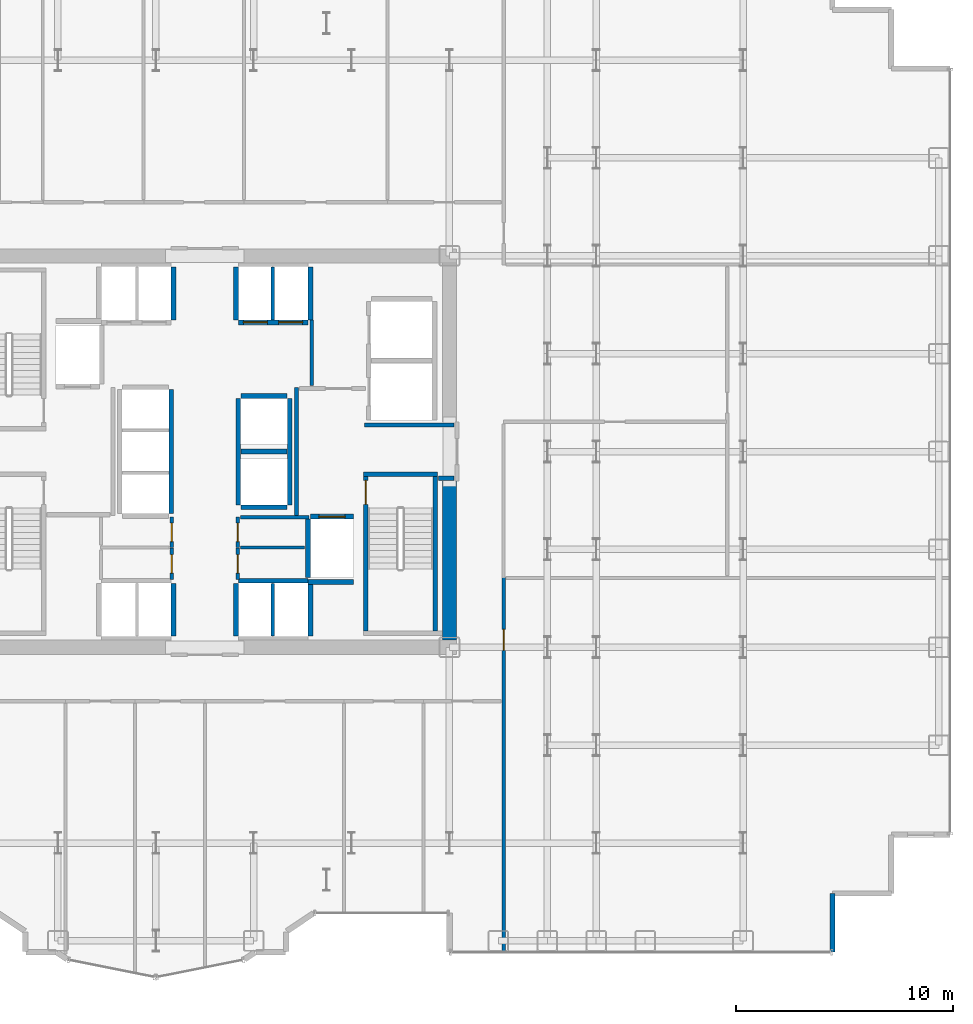
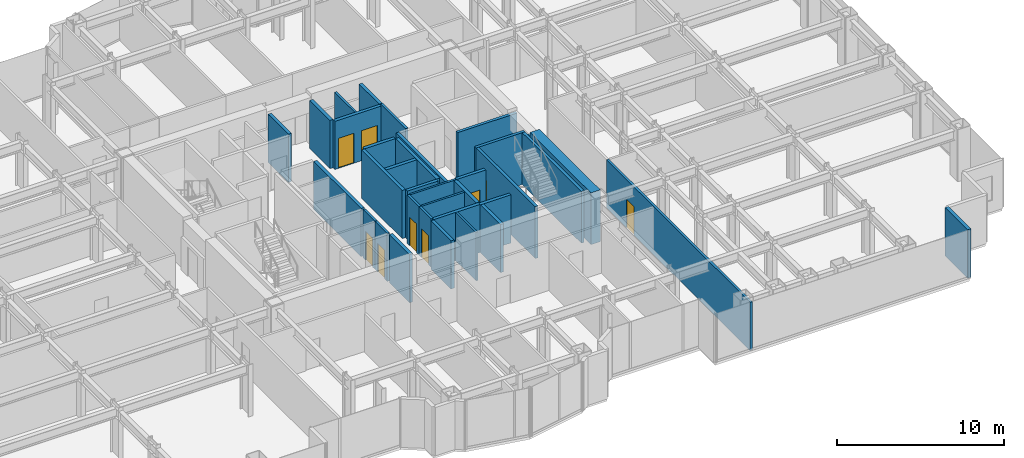
# One storey, part 22 of 25: 35 walls, 9 doors, 9 openings.
"""IFC4 building model written with IfcOpenShell, lengths in metres."""

from ifc_helpers import new_model, si_unit, direction, frame, frame_2d, origin, place, context, subcontext, project, spatial, rectangle, extrude, source, transform, mapped, material, layer, layer_set, type_object, element, fill, save


model = new_model("IFC4")

# Units and contexts
model_context = context("Model", 3, precision=1e-05, world=origin(), true_north=direction((0.0, 1.0)))
body_context = subcontext(model_context, "Body", "Model", "MODEL_VIEW")
ifc_project = project(units=[si_unit("LENGTHUNIT", "METRE"), si_unit("AREAUNIT", "SQUARE_METRE"), si_unit("VOLUMEUNIT", "CUBIC_METRE"), si_unit("PLANEANGLEUNIT", "RADIAN"), si_unit("MASSUNIT", "GRAM", prefix="KILO")], contexts=[model_context])

# Site, building, storey
site_placement = place(None, origin())
site = spatial("IfcSite", under=ifc_project, at=site_placement, CompositionType="ELEMENT")
building_placement = place(site_placement, origin())
building = spatial("IfcBuilding", under=site, at=building_placement, Name="Nefas-Gora Pilgrimage Tower", CompositionType="ELEMENT")
storey_placement = place(building_placement, frame((0.0, 0.0, 74.800048828125)))
storey = spatial("IfcBuildingStorey", under=building, at=storey_placement, Name="L17", CompositionType="ELEMENT", Elevation=74.800048828125)

# Walls
ifc_material_1 = material(Name="Concrete C60/75", Category="concrete")
ifc_layer_1 = layer(ifc_material_1, 0.64990234375)
ifc_layer_set_1 = layer_set([ifc_layer_1], Name="Concrete C60/75")
wall_type_1 = type_object("IfcWallType", Name="SW-CORE-650", PredefinedType="SHEAR", material=ifc_layer_set_1)
shared_shape_1 = source(origin(), body_context, "Body", "SweptSolid", [
    extrude(rectangle(XDim=7.324951171875, YDim=0.64990234375, at=frame_2d((3.66259765625, 0.0))), origin(), (0.0, 0.0, 1.0), 3.800048828125),
])
wall_1_placement = place(storey_placement, frame((11.25, -8.675048828125, 0.0), z_axis=(0.0, 0.0, 1.0), x_axis=(0.0, 1.0, 0.0)))
element("IfcWall", 1, at=wall_1_placement, inside=storey, type_object=wall_type_1, Name="L17 Core Shear Wall E-South", PredefinedType="SHEAR", context=body_context, shape_type="MappedRepresentation", body=[
    mapped(shared_shape_1, transform((0.0, 0.0, 0.0), x_axis=(1.0, 0.0, 0.0), y_axis=(0.0, 1.0, 0.0), z_axis=(0.0, 0.0, 1.0), scale=1.0)),
])
ifc_material_2 = material(Name="Precast concrete C45/55", Category="concrete")
ifc_layer_2 = layer(ifc_material_2, 0.239990234375)
ifc_layer_set_2 = layer_set([ifc_layer_2], Name="Precast concrete C45/55")
wall_type_2 = type_object("IfcWallType", Name="EW-SERR-240", PredefinedType="SHEAR", material=ifc_layer_set_2)
shared_shape_2 = source(origin(), body_context, "Body", "SweptSolid", [
    extrude(rectangle(XDim=2.699951171875, YDim=0.239990234375, at=frame_2d((1.35009765625, 0.0))), origin(), (0.0, 0.0, 1.0), 3.550048828125),
])
wall_2_placement = place(storey_placement, frame((28.8701171875, -23.02001953125, 0.0), z_axis=(0.0, 0.0, 1.0), x_axis=(0.0, 1.0, 0.0)))
element("IfcWall", 2, at=wall_2_placement, inside=storey, type_object=wall_type_2, Name="L17 Serrated Corner Shear Pier Wall 2", PredefinedType="SHEAR", context=body_context, shape_type="MappedRepresentation", body=[
    mapped(shared_shape_2, transform((0.0, 0.0, 0.0), x_axis=(1.0, 0.0, 0.0), y_axis=(0.0, 1.0, 0.0), z_axis=(0.0, 0.0, 1.0), scale=1.0)),
])
ifc_material_3 = material(Name="Concrete C45/55", Category="concrete")
ifc_layer_3 = layer(ifc_material_3, 0.199951171875)
ifc_layer_set_3 = layer_set([ifc_layer_3], Name="Concrete C45/55")
wall_type_3 = type_object("IfcWallType", Name="IW-STAIR-200", PredefinedType="SOLIDWALL", material=ifc_layer_set_3)
shared_shape_3 = source(origin(), body_context, "Body", "SweptSolid", [
    extrude(rectangle(XDim=3.39990234375, YDim=0.199951171875, at=frame_2d((1.699951171875, 0.0))), origin(), (0.0, 0.0, 1.0), 3.800048828125),
])
wall_3_placement = place(storey_placement, frame((7.300048828125, -1.050048828125, 0.0), z_axis=(0.0, 0.0, 1.0), x_axis=(1.0, 0.0, 0.0)))
element("IfcWall", 3, at=wall_3_placement, inside=storey, type_object=wall_type_3, Name="L17 Stairwell Shear Wall ST-02-near", PredefinedType="SOLIDWALL", context=body_context, shape_type="MappedRepresentation", body=[
    mapped(shared_shape_3, transform((0.0, 0.0, 0.0), x_axis=(1.0, 0.0, 0.0), y_axis=(0.0, 1.0, 0.0), z_axis=(0.0, 0.0, 1.0), scale=1.0)),
])

# Wall, opening, door
shared_shape_4 = source(origin(), body_context, "Body", "SweptSolid", [
    extrude(rectangle(XDim=7.10009765625, YDim=0.199951171875, at=frame_2d((3.550048828125, 0.0))), origin(), (0.0, 0.0, 1.0), 3.800048828125),
])
wall_4_placement = place(storey_placement, frame((7.39990234375, -1.14990234375, 0.0), z_axis=(0.0, 0.0, 1.0), x_axis=(0.0, -1.0, 0.0)))
wall_4 = element("IfcWall", 4, at=wall_4_placement, inside=storey, type_object=wall_type_3, Name="L17 Stairwell Shear Wall ST-02-left", PredefinedType="SOLIDWALL", context=body_context, shape_type="MappedRepresentation", body=[
    mapped(shared_shape_4, transform((0.0, 0.0, 0.0), x_axis=(1.0, 0.0, 0.0), y_axis=(0.0, 1.0, 0.0), z_axis=(0.0, 0.0, 1.0), scale=1.0)),
])
opening_1_placement = place(wall_4_placement, frame((0.179931640625, 0.0, 0.0)))
opening_1 = element("IfcOpeningElement", 5, at=opening_1_placement, cuts=wall_4, Name="Opening ID-ST1", PredefinedType="OPENING", context=body_context, shape_type="SweptSolid", body=[
    extrude(rectangle(XDim=1.10009765625, YDim=2.14990234375, at=frame_2d((0.550048828125, 1.074951171875))), frame((0.0, 0.10986328125, 0.0), z_axis=(0.0, -1.0, 0.0), x_axis=(1.0, 0.0, 0.0)), (0.0, 0.0, 1.0), 0.219970703125),
])
ifc_material_4 = material(Name="Painted galvanised steel fire stair door", Category="steel")
door_type_1 = type_object("IfcDoorType", Name="DR-INT-STAIR-1100", OperationType="NOTDEFINED", PredefinedType="DOOR", material=ifc_material_4)
shared_shape_5 = source(origin(), body_context, "Body", "SweptSolid", [
    extrude(rectangle(XDim=1.10009765625, YDim=2.14990234375, at=frame_2d((0.550048828125, 1.074951171875))), frame((0.0, 0.02490234375, 0.0), z_axis=(0.0, -1.0, 0.0), x_axis=(1.0, 0.0, 0.0)), (0.0, 0.0, 1.0), 0.050048828125),
])
door_1_placement = place(opening_1_placement, origin())
door_1 = element("IfcDoor", 6, at=door_1_placement, inside=storey, type_object=door_type_1, Name="L17 Protected Exit Stair Door ST-02", OperationType="SINGLE_SWING_RIGHT", OverallHeight=2.14990234375, OverallWidth=1.10009765625, PredefinedType="DOOR", context=body_context, shape_type="MappedRepresentation", body=[
    mapped(shared_shape_5, transform((0.0, 0.0, 0.0), x_axis=(1.0, 0.0, 0.0), y_axis=(0.0, 1.0, 0.0), z_axis=(0.0, 0.0, 1.0), scale=1.0)),
])
fill(opening_1, door_1)

# Wall
wall_5_placement = place(storey_placement, frame((10.60009765625, -1.14990234375, 0.0), z_axis=(0.0, 0.0, 1.0), x_axis=(0.0, -1.0, 0.0)))
element("IfcWall", 7, at=wall_5_placement, inside=storey, type_object=wall_type_3, Name="L17 Stairwell Shear Wall ST-02-right", PredefinedType="SOLIDWALL", context=body_context, shape_type="MappedRepresentation", body=[
    mapped(shared_shape_4, transform((0.0, 0.0, 0.0), x_axis=(1.0, 0.0, 0.0), y_axis=(0.0, 1.0, 0.0), z_axis=(0.0, 0.0, 1.0), scale=1.0)),
])

# Wall, opening, door
ifc_material_5 = material(Name="Concrete C40/50", Category="concrete")
ifc_layer_4 = layer(ifc_material_5, 0.219970703125)
ifc_layer_set_4 = layer_set([ifc_layer_4], Name="Concrete C40/50")
wall_type_4 = type_object("IfcWallType", Name="IW-SHAFT-220", PredefinedType="SOLIDWALL", material=ifc_layer_set_4)
shared_shape_6 = source(origin(), body_context, "Body", "SweptSolid", [
    extrude(rectangle(XDim=2.0, YDim=0.219970703125, at=frame_2d((1.0, 0.0))), origin(), (0.0, 0.0, 1.0), 3.534912109375),
])
wall_6_placement = place(storey_placement, frame((6.85009765625, -2.989990234375, 0.0), z_axis=(0.0, 0.0, 1.0), x_axis=(-1.0, 0.0, 0.0)))
wall_6 = element("IfcWall", 8, at=wall_6_placement, inside=storey, type_object=wall_type_4, Name="L17 Hoistway Wall FFL-02-N", PredefinedType="SOLIDWALL", context=body_context, shape_type="MappedRepresentation", body=[
    mapped(shared_shape_6, transform((0.0, 0.0, 0.0), x_axis=(1.0, 0.0, 0.0), y_axis=(0.0, 1.0, 0.0), z_axis=(0.0, 0.0, 1.0), scale=1.0)),
])
opening_2_placement = place(wall_6_placement, frame((0.39990234375, 0.0, 0.0)))
opening_2 = element("IfcOpeningElement", 9, at=opening_2_placement, cuts=wall_6, Name="Opening LD-FF", PredefinedType="OPENING", context=body_context, shape_type="SweptSolid", body=[
    extrude(rectangle(XDim=1.199951171875, YDim=2.199951171875, at=frame_2d((0.60009765625, 1.10009765625))), frame((0.0, 0.119873046875, 0.0), z_axis=(0.0, -1.0, 0.0), x_axis=(1.0, 0.0, 0.0)), (0.0, 0.0, 1.0), 0.239990234375),
])
ifc_material_6 = material(Name="Fire-service sliding lift landing door")
door_type_2 = type_object("IfcDoorType", Name="DR-LIFT-FSAE-1200", OperationType="SLIDING_TO_LEFT", PredefinedType="DOOR", material=ifc_material_6)
shared_shape_7 = source(origin(), body_context, "Body", "SweptSolid", [
    extrude(rectangle(XDim=1.199951171875, YDim=2.199951171875, at=frame_2d((0.60009765625, 1.10009765625))), frame((0.0, 0.02490234375, 0.0), z_axis=(0.0, -1.0, 0.0), x_axis=(1.0, 0.0, 0.0)), (0.0, 0.0, 1.0), 0.050048828125),
])
door_2_placement = place(opening_2_placement, origin())
door_2 = element("IfcDoor", 10, at=door_2_placement, inside=storey, type_object=door_type_2, Name="L17 Sliding Lift Landing Door FFL-02", OperationType="SLIDING_TO_LEFT", OverallHeight=2.199951171875, OverallWidth=1.199951171875, PredefinedType="DOOR", context=body_context, shape_type="MappedRepresentation", body=[
    mapped(shared_shape_7, transform((0.0, 0.0, 0.0), x_axis=(1.0, 0.0, 0.0), y_axis=(0.0, 1.0, 0.0), z_axis=(0.0, 0.0, 1.0), scale=1.0)),
])
fill(opening_2, door_2)

# Wall
shared_shape_8 = source(origin(), body_context, "Body", "SweptSolid", [
    extrude(rectangle(XDim=2.679931640625, YDim=0.219970703125, at=frame_2d((1.33984375, 0.0))), origin(), (0.0, 0.0, 1.0), 3.534912109375),
])
wall_7_placement = place(storey_placement, frame((4.739990234375, -3.110107421875, 0.0), z_axis=(0.0, 0.0, 1.0), x_axis=(0.0, -1.0, 0.0)))
element("IfcWall", 11, at=wall_7_placement, inside=storey, type_object=wall_type_4, Name="L17 Hoistway Wall FFL-02-W", PredefinedType="SOLIDWALL", context=body_context, shape_type="MappedRepresentation", body=[
    mapped(shared_shape_8, transform((0.0, 0.0, 0.0), x_axis=(1.0, 0.0, 0.0), y_axis=(0.0, 1.0, 0.0), z_axis=(0.0, 0.0, 1.0), scale=1.0)),
])

# Wall, openings, doors
shared_shape_9 = source(origin(), body_context, "Body", "SweptSolid", [
    extrude(rectangle(XDim=3.199951171875, YDim=0.219970703125, at=frame_2d((1.60009765625, 0.0))), origin(), (0.0, 0.0, 1.0), 3.534912109375),
])
wall_8_placement = place(storey_placement, frame((1.550048828125, 5.93994140625, 0.0), z_axis=(0.0, 0.0, 1.0), x_axis=(1.0, 0.0, 0.0)))
wall_8 = element("IfcWall", 12, at=wall_8_placement, inside=storey, type_object=wall_type_4, Name="L17 Hoistway Wall PL1-E-S", PredefinedType="SOLIDWALL", context=body_context, shape_type="MappedRepresentation", body=[
    mapped(shared_shape_9, transform((0.0, 0.0, 0.0), x_axis=(1.0, 0.0, 0.0), y_axis=(0.0, 1.0, 0.0), z_axis=(0.0, 0.0, 1.0), scale=1.0)),
])
opening_3_placement = place(wall_8_placement, frame((0.22509765625, 0.0, 0.0)))
opening_3 = element("IfcOpeningElement", 13, at=opening_3_placement, cuts=wall_8, Name="Opening LD-01", PredefinedType="OPENING", context=body_context, shape_type="SweptSolid", body=[
    extrude(rectangle(XDim=1.10009765625, YDim=2.199951171875, at=frame_2d((0.550048828125, 1.10009765625))), frame((0.0, 0.119873046875, 0.0), z_axis=(0.0, -1.0, 0.0), x_axis=(1.0, 0.0, 0.0)), (0.0, 0.0, 1.0), 0.239990234375),
])
opening_4_placement = place(wall_8_placement, frame((1.85009765625, 0.0, 0.0)))
opening_4 = element("IfcOpeningElement", 14, at=opening_4_placement, cuts=wall_8, Name="Opening LD-01", PredefinedType="OPENING", context=body_context, shape_type="SweptSolid", body=[
    extrude(rectangle(XDim=1.10009765625, YDim=2.199951171875, at=frame_2d((0.550048828125, 1.10009765625))), frame((0.0, 0.119873046875, 0.0), z_axis=(0.0, -1.0, 0.0), x_axis=(1.0, 0.0, 0.0)), (0.0, 0.0, 1.0), 0.239990234375),
])
ifc_material_7 = material(Name="Brushed stainless sliding lift landing door")
door_type_3 = type_object("IfcDoorType", Name="DR-LIFT-PASS-1100", OperationType="DOUBLE_DOOR_SLIDING", PredefinedType="DOOR", material=ifc_material_7)
shared_shape_10 = source(origin(), body_context, "Body", "SweptSolid", [
    extrude(rectangle(XDim=1.10009765625, YDim=2.199951171875, at=frame_2d((0.550048828125, 1.10009765625))), frame((0.0, 0.02490234375, 0.0), z_axis=(0.0, -1.0, 0.0), x_axis=(1.0, 0.0, 0.0)), (0.0, 0.0, 1.0), 0.050048828125),
])
door_3_placement = place(opening_3_placement, origin())
door_3 = element("IfcDoor", 15, at=door_3_placement, inside=storey, type_object=door_type_3, Name="L17 Sliding Lift Landing Door PL1-03", OperationType="DOUBLE_DOOR_SLIDING", OverallHeight=2.199951171875, OverallWidth=1.10009765625, PredefinedType="DOOR", context=body_context, shape_type="MappedRepresentation", body=[
    mapped(shared_shape_10, transform((0.0, 0.0, 0.0), x_axis=(1.0, 0.0, 0.0), y_axis=(0.0, 1.0, 0.0), z_axis=(0.0, 0.0, 1.0), scale=1.0)),
])
fill(opening_3, door_3)
door_4_placement = place(opening_4_placement, origin())
door_4 = element("IfcDoor", 16, at=door_4_placement, inside=storey, type_object=door_type_3, Name="L17 Sliding Lift Landing Door PL1-04", OperationType="DOUBLE_DOOR_SLIDING", OverallHeight=2.199951171875, OverallWidth=1.10009765625, PredefinedType="DOOR", context=body_context, shape_type="MappedRepresentation", body=[
    mapped(shared_shape_10, transform((0.0, 0.0, 0.0), x_axis=(1.0, 0.0, 0.0), y_axis=(0.0, 1.0, 0.0), z_axis=(0.0, 0.0, 1.0), scale=1.0)),
])
fill(opening_4, door_4)

# Walls
wall_9_placement = place(storey_placement, frame((4.75, -5.93994140625, 0.0), z_axis=(0.0, 0.0, 1.0), x_axis=(-1.0, 0.0, 0.0)))
element("IfcWall", 17, at=wall_9_placement, inside=storey, type_object=wall_type_4, Name="L17 Hoistway Wall PL2-E-N", PredefinedType="SOLIDWALL", context=body_context, shape_type="MappedRepresentation", body=[
    mapped(shared_shape_9, transform((0.0, 0.0, 0.0), x_axis=(1.0, 0.0, 0.0), y_axis=(0.0, 1.0, 0.0), z_axis=(0.0, 0.0, 1.0), scale=1.0)),
])
shared_shape_11 = source(origin(), body_context, "Body", "SweptSolid", [
    extrude(rectangle(XDim=2.429931640625, YDim=0.219970703125, at=frame_2d((1.21484375, 0.0))), origin(), (0.0, 0.0, 1.0), 3.534912109375),
])
for number, where, z_axis, x_axis, name in (
    (18, (-1.43994140625, 6.06005859375, 0.0), (0.0, 0.0, 1.0), (0.0, 1.0, 0.0), "L17 Hoistway Wall PL1-W-E"),
    (19, (1.43994140625, 8.489990234375, 0.0), (0.0, 0.0, 1.0), (0.0, -1.0, 0.0), "L17 Hoistway Wall PL1-E-W"),
    (20, (4.860107421875, 6.06005859375, 0.0), (0.0, 0.0, 1.0), (0.0, 1.0, 0.0), "L17 Hoistway Wall PL1-E-E"),
    (21, (-1.43994140625, -8.489990234375, 0.0), (0.0, 0.0, 1.0), (0.0, 1.0, 0.0), "L17 Hoistway Wall PL2-W-E"),
    (22, (1.43994140625, -6.06005859375, 0.0), (0.0, 0.0, 1.0), (0.0, -1.0, 0.0), "L17 Hoistway Wall PL2-E-W"),
    (23, (4.860107421875, -8.489990234375, 0.0), (0.0, 0.0, 1.0), (0.0, 1.0, 0.0), "L17 Hoistway Wall PL2-E-E"),
):
    element("IfcWall", number, at=place(storey_placement, frame(where, z_axis=z_axis, x_axis=x_axis)), inside=storey, type_object=wall_type_4, Name=name, PredefinedType="SOLIDWALL", context=body_context, shape_type="MappedRepresentation", body=[
        mapped(shared_shape_11, transform((0.0, 0.0, 0.0), x_axis=(1.0, 0.0, 0.0), y_axis=(0.0, 1.0, 0.0), z_axis=(0.0, 0.0, 1.0), scale=1.0)),
    ])
ifc_material_8 = material(Name="Gypsum twin-stud partition")
ifc_layer_5 = layer(ifc_material_8, 0.139892578125)
ifc_layer_set_5 = layer_set([ifc_layer_5], Name="Gypsum twin-stud partition")
wall_type_5 = type_object("IfcWallType", Name="IW-UNIT-140", PredefinedType="PARTITIONING", material=ifc_layer_set_5)
shared_shape_12 = source(origin(), body_context, "Body", "SweptSolid", [
    extrude(rectangle(XDim=2.429931640625, YDim=0.139892578125, at=frame_2d((1.21484375, 0.0))), origin(), (0.0, 0.0, 1.0), 3.534912109375),
])
for number, where, z_axis, x_axis, name in (
    (24, (3.125, 6.06005859375, 0.0), (0.0, 0.0, 1.0), (0.0, 1.0, 0.0), "L17 Hoistway Wall PL1-E-DIV"),
    (25, (3.125, -8.489990234375, 0.0), (0.0, 0.0, 1.0), (0.0, 1.0, 0.0), "L17 Hoistway Wall PL2-E-DIV"),
):
    element("IfcWall", number, at=place(storey_placement, frame(where, z_axis=z_axis, x_axis=x_axis)), inside=storey, type_object=wall_type_5, Name=name, PredefinedType="PARTITIONING", context=body_context, shape_type="MappedRepresentation", body=[
        mapped(shared_shape_12, transform((0.0, 0.0, 0.0), x_axis=(1.0, 0.0, 0.0), y_axis=(0.0, 1.0, 0.0), z_axis=(0.0, 0.0, 1.0), scale=1.0)),
    ])
shared_shape_13 = source(origin(), body_context, "Body", "SweptSolid", [
    extrude(rectangle(XDim=5.7001953125, YDim=0.219970703125, at=frame_2d((2.85009765625, 0.0))), origin(), (0.0, 0.0, 1.0), 3.534912109375),
])
wall_10_placement = place(storey_placement, frame((-1.5400390625, -2.85009765625, 0.0), z_axis=(0.0, 0.0, 1.0), x_axis=(0.0, 1.0, 0.0)))
element("IfcWall", 26, at=wall_10_placement, inside=storey, type_object=wall_type_4, Name="L17 Hoistway Wall PL3-01-03-E", PredefinedType="SOLIDWALL", context=body_context, shape_type="MappedRepresentation", body=[
    mapped(shared_shape_13, transform((0.0, 0.0, 0.0), x_axis=(1.0, 0.0, 0.0), y_axis=(0.0, 1.0, 0.0), z_axis=(0.0, 0.0, 1.0), scale=1.0)),
])
shared_shape_14 = source(origin(), body_context, "Body", "SweptSolid", [
    extrude(rectangle(XDim=2.130126953125, YDim=0.219970703125, at=frame_2d((1.06494140625, 0.0))), origin(), (0.0, 0.0, 1.0), 3.534912109375),
])
for number, where, z_axis, x_axis, name in (
    (27, (1.659912109375, -2.56005859375, 0.0), (0.0, 0.0, 1.0), (1.0, 0.0, 0.0), "L17 Hoistway Wall OBS-01-S"),
    (28, (1.659912109375, 0.0, 0.0), (0.0, 0.0, 1.0), (1.0, 0.0, 0.0), "L17 Hoistway Wall OBS-01-02-DIV"),
    (29, (3.7900390625, 2.56005859375, 0.0), (0.0, 0.0, 1.0), (-1.0, 0.0, 0.0), "L17 Hoistway Wall OBS-02-N"),
):
    element("IfcWall", number, at=place(storey_placement, frame(where, z_axis=z_axis, x_axis=x_axis)), inside=storey, type_object=wall_type_4, Name=name, PredefinedType="SOLIDWALL", context=body_context, shape_type="MappedRepresentation", body=[
        mapped(shared_shape_14, transform((0.0, 0.0, 0.0), x_axis=(1.0, 0.0, 0.0), y_axis=(0.0, 1.0, 0.0), z_axis=(0.0, 0.0, 1.0), scale=1.0)),
    ])
shared_shape_15 = source(origin(), body_context, "Body", "SweptSolid", [
    extrude(rectangle(XDim=4.89990234375, YDim=0.219970703125, at=frame_2d((2.449951171875, 0.0))), origin(), (0.0, 0.0, 1.0), 3.534912109375),
])
for number, where, z_axis, x_axis, name in (
    (30, (1.5400390625, 2.449951171875, 0.0), (0.0, 0.0, 1.0), (0.0, -1.0, 0.0), "L17 Hoistway Wall OBS-01-02-W"),
    (31, (3.909912109375, -2.449951171875, 0.0), (0.0, 0.0, 1.0), (0.0, 1.0, 0.0), "L17 Hoistway Wall OBS-01-02-E"),
):
    element("IfcWall", number, at=place(storey_placement, frame(where, z_axis=z_axis, x_axis=x_axis)), inside=storey, type_object=wall_type_4, Name=name, PredefinedType="SOLIDWALL", context=body_context, shape_type="MappedRepresentation", body=[
        mapped(shared_shape_15, transform((0.0, 0.0, 0.0), x_axis=(1.0, 0.0, 0.0), y_axis=(0.0, 1.0, 0.0), z_axis=(0.0, 0.0, 1.0), scale=1.0)),
    ])
shared_shape_16 = source(origin(), body_context, "Body", "SweptSolid", [
    extrude(rectangle(XDim=2.09521484375, YDim=0.219970703125, at=frame_2d((1.047607421875, 0.0))), origin(), (0.0, 0.0, 1.0), 3.534912109375),
])
wall_11_placement = place(storey_placement, frame((4.7548828125, -6.0, 0.0), z_axis=(0.0, 0.0, 1.0), x_axis=(1.0, 0.0, 0.0)))
element("IfcWall", 32, at=wall_11_placement, inside=storey, type_object=wall_type_4, Name="L17 Riser Shaft Wall 2", PredefinedType="SOLIDWALL", context=body_context, shape_type="MappedRepresentation", body=[
    mapped(shared_shape_16, transform((0.0, 0.0, 0.0), x_axis=(1.0, 0.0, 0.0), y_axis=(0.0, 1.0, 0.0), z_axis=(0.0, 0.0, 1.0), scale=1.0)),
])
ifc_material_9 = material(Name="Gypsum fire-rated shaftwall")
ifc_layer_6 = layer(ifc_material_9, 0.199951171875)
ifc_layer_set_6 = layer_set([ifc_layer_6], Name="Gypsum fire-rated shaftwall")
wall_type_6 = type_object("IfcWallType", Name="IW-FFLOB-200", PredefinedType="PARTITIONING", material=ifc_layer_set_6)
shared_shape_17 = source(origin(), body_context, "Body", "SweptSolid", [
    extrude(rectangle(XDim=5.89990234375, YDim=0.199951171875, at=frame_2d((2.949951171875, 0.0))), origin(), (0.0, 0.0, 1.0), 3.534912109375),
])
wall_12_placement = place(storey_placement, frame((4.219970703125, -2.949951171875, 0.0), z_axis=(0.0, 0.0, 1.0), x_axis=(0.0, 1.0, 0.0)))
element("IfcWall", 33, at=wall_12_placement, inside=storey, type_object=wall_type_6, Name="L17 FF Lobby East Inner Wall Wall 9", PredefinedType="PARTITIONING", context=body_context, shape_type="MappedRepresentation", body=[
    mapped(shared_shape_17, transform((0.0, 0.0, 0.0), x_axis=(1.0, 0.0, 0.0), y_axis=(0.0, 1.0, 0.0), z_axis=(0.0, 0.0, 1.0), scale=1.0)),
])
shared_shape_18 = source(origin(), body_context, "Body", "SweptSolid", [
    extrude(rectangle(XDim=0.719970703125, YDim=0.199951171875, at=frame_2d((0.35986328125, 0.0))), origin(), (0.0, 0.0, 1.0), 3.534912109375),
])
wall_13_placement = place(storey_placement, frame((10.739990234375, -1.219970703125, 0.0), z_axis=(0.0, 0.0, 1.0), x_axis=(1.0, 0.0, 0.0)))
element("IfcWall", 34, at=wall_13_placement, inside=storey, type_object=wall_type_6, Name="L17 FF Lobby East Throat S Wall 12", PredefinedType="PARTITIONING", context=body_context, shape_type="MappedRepresentation", body=[
    mapped(shared_shape_18, transform((0.0, 0.0, 0.0), x_axis=(1.0, 0.0, 0.0), y_axis=(0.0, 1.0, 0.0), z_axis=(0.0, 0.0, 1.0), scale=1.0)),
])
shared_shape_19 = source(origin(), body_context, "Body", "SweptSolid", [
    extrude(rectangle(XDim=4.10986328125, YDim=0.199951171875, at=frame_2d((2.054931640625, 0.0))), origin(), (0.0, 0.0, 1.0), 3.534912109375),
])
wall_14_placement = place(storey_placement, frame((7.35009765625, 1.219970703125, 0.0), z_axis=(0.0, 0.0, 1.0), x_axis=(1.0, 0.0, 0.0)))
element("IfcWall", 35, at=wall_14_placement, inside=storey, type_object=wall_type_6, Name="L17 FF Lobby East Throat N Wall 11", PredefinedType="PARTITIONING", context=body_context, shape_type="MappedRepresentation", body=[
    mapped(shared_shape_19, transform((0.0, 0.0, 0.0), x_axis=(1.0, 0.0, 0.0), y_axis=(0.0, 1.0, 0.0), z_axis=(0.0, 0.0, 1.0), scale=1.0)),
])
ifc_material_10 = material(Name="Gypsum acoustic stud partition")
ifc_layer_7 = layer(ifc_material_10, 0.159912109375)
ifc_layer_set_7 = layer_set([ifc_layer_7], Name="Gypsum acoustic stud partition")
wall_type_7 = type_object("IfcWallType", Name="IW-CORR-160", PredefinedType="PARTITIONING", material=ifc_layer_set_7)
shared_shape_20 = source(origin(), body_context, "Body", "SweptSolid", [
    extrude(rectangle(XDim=3.014892578125, YDim=0.159912109375, at=frame_2d((1.50732421875, 0.0))), origin(), (0.0, 0.0, 1.0), 3.534912109375),
])
wall_15_placement = place(storey_placement, frame((4.919921875, 3.0400390625, 0.0), z_axis=(0.0, 0.0, 1.0), x_axis=(0.0, 1.0, 0.0)))
element("IfcWall", 36, at=wall_15_placement, inside=storey, type_object=wall_type_7, Name="L17 Service Lift Lobby West Wall Wall 15", PredefinedType="PARTITIONING", context=body_context, shape_type="MappedRepresentation", body=[
    mapped(shared_shape_20, transform((0.0, 0.0, 0.0), x_axis=(1.0, 0.0, 0.0), y_axis=(0.0, 1.0, 0.0), z_axis=(0.0, 0.0, 1.0), scale=1.0)),
])
shared_shape_21 = source(origin(), body_context, "Body", "SweptSolid", [
    extrude(rectangle(XDim=2.9501953125, YDim=0.139892578125, at=frame_2d((1.47509765625, 0.0))), origin(), (0.0, 0.0, 1.0), 3.534912109375),
])
wall_16_placement = place(storey_placement, frame((1.639892578125, -4.409912109375, 0.0), z_axis=(0.0, 0.0, 1.0), x_axis=(1.0, 0.0, 0.0)))
element("IfcWall", 37, at=wall_16_placement, inside=storey, type_object=wall_type_5, Name="L17 Clean Blanket and Robe Store Partition Wall 23", PredefinedType="PARTITIONING", context=body_context, shape_type="MappedRepresentation", body=[
    mapped(shared_shape_21, transform((0.0, 0.0, 0.0), x_axis=(1.0, 0.0, 0.0), y_axis=(0.0, 1.0, 0.0), z_axis=(0.0, 0.0, 1.0), scale=1.0)),
])

# Wall, opening, door
shared_shape_22 = source(origin(), body_context, "Body", "SweptSolid", [
    extrude(rectangle(XDim=1.409912109375, YDim=0.159912109375, at=frame_2d((0.705078125, 0.0))), origin(), (0.0, 0.0, 1.0), 3.534912109375),
])
wall_17_placement = place(storey_placement, frame((-1.52001953125, -4.419921875, 0.0), z_axis=(0.0, 0.0, 1.0), x_axis=(0.0, 1.0, 0.0)))
wall_17 = element("IfcWall", 38, at=wall_17_placement, inside=storey, type_object=wall_type_7, Name="L17 Housekeeping and Linen Store Wall 16", PredefinedType="PARTITIONING", context=body_context, shape_type="MappedRepresentation", body=[
    mapped(shared_shape_22, transform((0.0, 0.0, 0.0), x_axis=(1.0, 0.0, 0.0), y_axis=(0.0, 1.0, 0.0), z_axis=(0.0, 0.0, 1.0), scale=1.0)),
])
opening_5_placement = place(wall_17_placement, frame((0.280029296875, 0.0, 0.0)))
opening_5 = element("IfcOpeningElement", 39, at=opening_5_placement, cuts=wall_17, Name="Opening ID-BT1", PredefinedType="OPENING", context=body_context, shape_type="SweptSolid", body=[
    extrude(rectangle(XDim=0.85009765625, YDim=2.10009765625, at=frame_2d((0.425048828125, 1.050048828125))), frame((0.0, 0.08984375, 0.0), z_axis=(0.0, -1.0, 0.0), x_axis=(1.0, 0.0, 0.0)), (0.0, 0.0, 1.0), 0.179931640625),
])
ifc_material_11 = material(Name="Moisture-resistant fire-rated timber door", Category="wood")
door_type_4 = type_object("IfcDoorType", Name="DR-INT-BATH-850", OperationType="NOTDEFINED", PredefinedType="DOOR", material=ifc_material_11)
shared_shape_23 = source(origin(), body_context, "Body", "SweptSolid", [
    extrude(rectangle(XDim=0.85009765625, YDim=2.10009765625, at=frame_2d((0.425048828125, 1.050048828125))), frame((0.0, 0.02490234375, 0.0), z_axis=(0.0, -1.0, 0.0), x_axis=(1.0, 0.0, 0.0)), (0.0, 0.0, 1.0), 0.050048828125),
])
door_5_placement = place(opening_5_placement, origin())
door_5 = element("IfcDoor", 40, at=door_5_placement, inside=storey, type_object=door_type_4, Name="L17 Housekeeping and Linen Store Door 6", OperationType="SINGLE_SWING_RIGHT", OverallHeight=2.10009765625, OverallWidth=0.85009765625, PredefinedType="DOOR", context=body_context, shape_type="MappedRepresentation", body=[
    mapped(shared_shape_23, transform((0.0, 0.0, 0.0), x_axis=(1.0, 0.0, 0.0), y_axis=(0.0, 1.0, 0.0), z_axis=(0.0, 0.0, 1.0), scale=1.0)),
])
fill(opening_5, door_5)

wall_18_placement = place(storey_placement, frame((1.52001953125, -4.419921875, 0.0), z_axis=(0.0, 0.0, 1.0), x_axis=(0.0, 1.0, 0.0)))
wall_18 = element("IfcWall", 41, at=wall_18_placement, inside=storey, type_object=wall_type_7, Name="L17 Clean Blanket and Robe Store Wall 21", PredefinedType="PARTITIONING", context=body_context, shape_type="MappedRepresentation", body=[
    mapped(shared_shape_22, transform((0.0, 0.0, 0.0), x_axis=(1.0, 0.0, 0.0), y_axis=(0.0, 1.0, 0.0), z_axis=(0.0, 0.0, 1.0), scale=1.0)),
])
opening_6_placement = place(wall_18_placement, frame((0.280029296875, 0.0, 0.0)))
opening_6 = element("IfcOpeningElement", 42, at=opening_6_placement, cuts=wall_18, Name="Opening ID-BT1", PredefinedType="OPENING", context=body_context, shape_type="SweptSolid", body=[
    extrude(rectangle(XDim=0.85009765625, YDim=2.10009765625, at=frame_2d((0.425048828125, 1.050048828125))), frame((0.0, 0.08984375, 0.0), z_axis=(0.0, -1.0, 0.0), x_axis=(1.0, 0.0, 0.0)), (0.0, 0.0, 1.0), 0.179931640625),
])
door_6_placement = place(opening_6_placement, origin())
door_6 = element("IfcDoor", 43, at=door_6_placement, inside=storey, type_object=door_type_4, Name="L17 Clean Blanket and Robe Store Door 8", OperationType="SINGLE_SWING_RIGHT", OverallHeight=2.10009765625, OverallWidth=0.85009765625, PredefinedType="DOOR", context=body_context, shape_type="MappedRepresentation", body=[
    mapped(shared_shape_23, transform((0.0, 0.0, 0.0), x_axis=(1.0, 0.0, 0.0), y_axis=(0.0, 1.0, 0.0), z_axis=(0.0, 0.0, 1.0), scale=1.0)),
])
fill(opening_6, door_6)

# Wall
shared_shape_24 = source(origin(), body_context, "Body", "SweptSolid", [
    extrude(rectangle(XDim=3.150146484375, YDim=0.139892578125, at=frame_2d((1.5751953125, 0.0))), origin(), (0.0, 0.0, 1.0), 3.534912109375),
])
wall_19_placement = place(storey_placement, frame((1.639892578125, -3.02001953125, 0.0), z_axis=(0.0, 0.0, 1.0), x_axis=(1.0, 0.0, 0.0)))
element("IfcWall", 44, at=wall_19_placement, inside=storey, type_object=wall_type_5, Name="L17 Clean Blanket and Robe Store Partition Wall 22", PredefinedType="PARTITIONING", context=body_context, shape_type="MappedRepresentation", body=[
    mapped(shared_shape_24, transform((0.0, 0.0, 0.0), x_axis=(1.0, 0.0, 0.0), y_axis=(0.0, 1.0, 0.0), z_axis=(0.0, 0.0, 1.0), scale=1.0)),
])

# Wall, opening, door
shared_shape_25 = source(origin(), body_context, "Body", "SweptSolid", [
    extrude(rectangle(XDim=1.449951171875, YDim=0.159912109375, at=frame_2d((0.72509765625, 0.0))), origin(), (0.0, 0.0, 1.0), 3.534912109375),
])
wall_20_placement = place(storey_placement, frame((-1.52001953125, -5.889892578125, 0.0), z_axis=(0.0, 0.0, 1.0), x_axis=(0.0, 1.0, 0.0)))
wall_20 = element("IfcWall", 45, at=wall_20_placement, inside=storey, type_object=wall_type_7, Name="L17 Guest Self-Service Laundry Room Wall 19", PredefinedType="PARTITIONING", context=body_context, shape_type="MappedRepresentation", body=[
    mapped(shared_shape_25, transform((0.0, 0.0, 0.0), x_axis=(1.0, 0.0, 0.0), y_axis=(0.0, 1.0, 0.0), z_axis=(0.0, 0.0, 1.0), scale=1.0)),
])
opening_7_placement = place(wall_20_placement, frame((0.300048828125, 0.0, 0.0)))
opening_7 = element("IfcOpeningElement", 46, at=opening_7_placement, cuts=wall_20, Name="Opening ID-BT1", PredefinedType="OPENING", context=body_context, shape_type="SweptSolid", body=[
    extrude(rectangle(XDim=0.85009765625, YDim=2.10009765625, at=frame_2d((0.425048828125, 1.050048828125))), frame((0.0, 0.08984375, 0.0), z_axis=(0.0, -1.0, 0.0), x_axis=(1.0, 0.0, 0.0)), (0.0, 0.0, 1.0), 0.179931640625),
])
door_7_placement = place(opening_7_placement, origin())
door_7 = element("IfcDoor", 47, at=door_7_placement, inside=storey, type_object=door_type_4, Name="L17 Guest Self-Service Laundry Room Door 7", OperationType="SINGLE_SWING_LEFT", OverallHeight=2.10009765625, OverallWidth=0.85009765625, PredefinedType="DOOR", context=body_context, shape_type="MappedRepresentation", body=[
    mapped(shared_shape_23, transform((0.0, 0.0, 0.0), x_axis=(1.0, 0.0, 0.0), y_axis=(0.0, 1.0, 0.0), z_axis=(0.0, 0.0, 1.0), scale=1.0)),
])
fill(opening_7, door_7)

wall_21_placement = place(storey_placement, frame((1.52001953125, -5.889892578125, 0.0), z_axis=(0.0, 0.0, 1.0), x_axis=(0.0, 1.0, 0.0)))
wall_21 = element("IfcWall", 48, at=wall_21_placement, inside=storey, type_object=wall_type_7, Name="L17 Core Amenity Supply Store Wall 24", PredefinedType="PARTITIONING", context=body_context, shape_type="MappedRepresentation", body=[
    mapped(shared_shape_25, transform((0.0, 0.0, 0.0), x_axis=(1.0, 0.0, 0.0), y_axis=(0.0, 1.0, 0.0), z_axis=(0.0, 0.0, 1.0), scale=1.0)),
])
opening_8_placement = place(wall_21_placement, frame((0.300048828125, 0.0, 0.0)))
opening_8 = element("IfcOpeningElement", 49, at=opening_8_placement, cuts=wall_21, Name="Opening ID-BT1", PredefinedType="OPENING", context=body_context, shape_type="SweptSolid", body=[
    extrude(rectangle(XDim=0.85009765625, YDim=2.10009765625, at=frame_2d((0.425048828125, 1.050048828125))), frame((0.0, 0.08984375, 0.0), z_axis=(0.0, -1.0, 0.0), x_axis=(1.0, 0.0, 0.0)), (0.0, 0.0, 1.0), 0.179931640625),
])
door_8_placement = place(opening_8_placement, origin())
door_8 = element("IfcDoor", 50, at=door_8_placement, inside=storey, type_object=door_type_4, Name="L17 Core Amenity Supply Store Door 9", OperationType="SINGLE_SWING_LEFT", OverallHeight=2.10009765625, OverallWidth=0.85009765625, PredefinedType="DOOR", context=body_context, shape_type="MappedRepresentation", body=[
    mapped(shared_shape_23, transform((0.0, 0.0, 0.0), x_axis=(1.0, 0.0, 0.0), y_axis=(0.0, 1.0, 0.0), z_axis=(0.0, 0.0, 1.0), scale=1.0)),
])
fill(opening_8, door_8)

shared_shape_26 = source(origin(), body_context, "Body", "SweptSolid", [
    extrude(rectangle(XDim=17.2451171875, YDim=0.159912109375, at=frame_2d((8.62255859375, 0.0))), origin(), (0.0, 0.0, 1.0), 3.534912109375),
])
wall_22_placement = place(storey_placement, frame((13.739990234375, -23.0400390625, 0.0), z_axis=(0.0, 0.0, 1.0), x_axis=(0.0, 1.0, 0.0)))
wall_22 = element("IfcWall", 51, at=wall_22_placement, inside=storey, type_object=wall_type_7, Name="L17 Pilgrim Contemplative Lounge Partition Wall 39", PredefinedType="PARTITIONING", context=body_context, shape_type="MappedRepresentation", body=[
    mapped(shared_shape_26, transform((0.0, 0.0, 0.0), x_axis=(1.0, 0.0, 0.0), y_axis=(0.0, 1.0, 0.0), z_axis=(0.0, 0.0, 1.0), scale=1.0)),
])
opening_9_placement = place(wall_22_placement, frame((13.91259765625, 0.0, 0.0)))
opening_9 = element("IfcOpeningElement", 52, at=opening_9_placement, cuts=wall_22, Name="Opening ID-GR1", PredefinedType="OPENING", context=body_context, shape_type="SweptSolid", body=[
    extrude(rectangle(XDim=0.949951171875, YDim=2.10009765625, at=frame_2d((0.47509765625, 1.050048828125))), frame((0.0, 0.08984375, 0.0), z_axis=(0.0, -1.0, 0.0), x_axis=(1.0, 0.0, 0.0)), (0.0, 0.0, 1.0), 0.179931640625),
])
ifc_material_12 = material(Name="Solid core oak fire-rated guest entrance door")
door_type_5 = type_object("IfcDoorType", Name="DR-INT-GUEST-950", OperationType="NOTDEFINED", PredefinedType="DOOR", material=ifc_material_12)
shared_shape_27 = source(origin(), body_context, "Body", "SweptSolid", [
    extrude(rectangle(XDim=0.949951171875, YDim=2.10009765625, at=frame_2d((0.47509765625, 1.050048828125))), frame((0.0, 0.02490234375, 0.0), z_axis=(0.0, -1.0, 0.0), x_axis=(1.0, 0.0, 0.0)), (0.0, 0.0, 1.0), 0.050048828125),
])
door_9_placement = place(opening_9_placement, origin())
door_9 = element("IfcDoor", 53, at=door_9_placement, inside=storey, type_object=door_type_5, Name="L17 Pilgrim Contemplative Lounge Door 17", OperationType="SINGLE_SWING_LEFT", OverallHeight=2.10009765625, OverallWidth=0.949951171875, PredefinedType="DOOR", context=body_context, shape_type="MappedRepresentation", body=[
    mapped(shared_shape_27, transform((0.0, 0.0, 0.0), x_axis=(1.0, 0.0, 0.0), y_axis=(0.0, 1.0, 0.0), z_axis=(0.0, 0.0, 1.0), scale=1.0)),
])
fill(opening_9, door_9)

save(model, "model.ifc")
